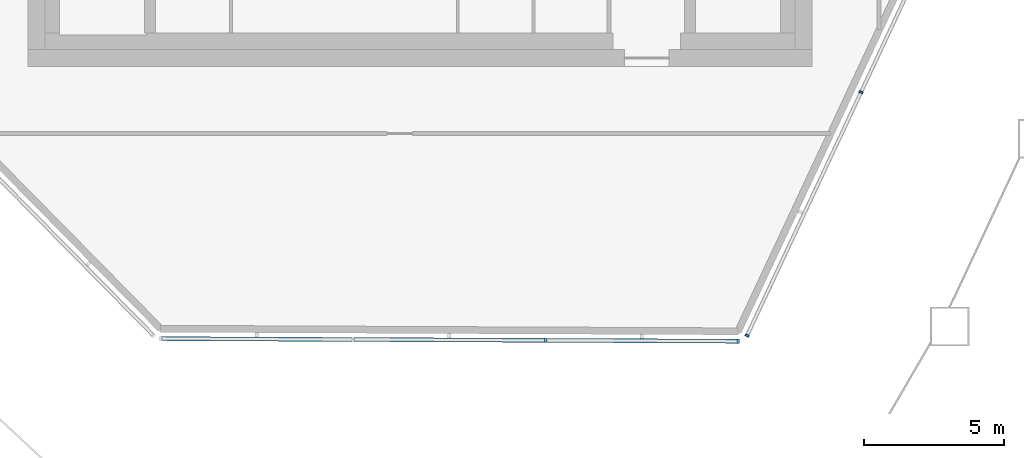
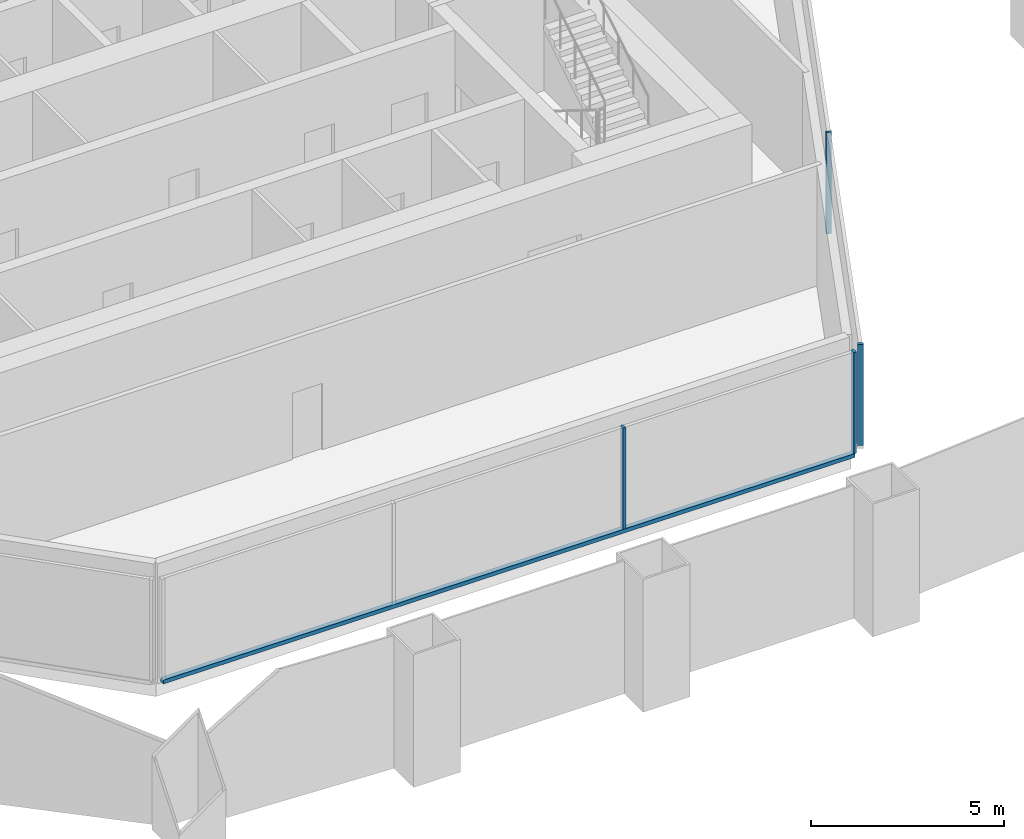
# One storey, part 3 of 18: 5 members, 2 elements without a shape of their own.
"""IFC4 building model written with IfcOpenShell, lengths in metres."""

from ifc_helpers import new_model, si_unit, direction, frame, origin, origin_2d, place, context, subcontext, project, spatial, rectangle, extrude, material, layer, layer_set, material_profile, profile_set, type_object, element, aggregate, save


model = new_model("IFC4")

# Units and contexts
model_context = context("Model", 3, precision=1e-05, world=origin(), true_north=direction((0.0, 1.0)))
body_context = subcontext(model_context, "Body", "Model", "MODEL_VIEW")
ifc_project = project(units=[si_unit("LENGTHUNIT", "METRE"), si_unit("AREAUNIT", "SQUARE_METRE"), si_unit("VOLUMEUNIT", "CUBIC_METRE"), si_unit("PLANEANGLEUNIT", "RADIAN"), si_unit("MASSUNIT", "GRAM", prefix="KILO")], contexts=[model_context])

# Site, building, storey
site_placement = place(None, origin())
site = spatial("IfcSite", under=ifc_project, at=site_placement, CompositionType="ELEMENT")
building_placement = place(site_placement, origin())
building = spatial("IfcBuilding", under=site, at=building_placement, Name="Dongbaek Canopy Tower", CompositionType="ELEMENT")
storey_placement = place(building_placement, frame((0.0, 0.0, 367.39990234375)))
storey = spatial("IfcBuildingStorey", under=building, at=storey_placement, Name="L79", CompositionType="ELEMENT", Elevation=367.39990234375)

# Curtain wall, members
ifc_material_1 = material(Name="Aluminium 6063-T6 pale anodised", Category="aluminium")
ifc_layer = layer(ifc_material_1, 0.14990234375)
ifc_layer_set = layer_set([ifc_layer], Name="CW-7 louvre curtain wall")
curtain_wall_type = type_object("IfcCurtainWallType", Name="CW-7 louvre curtain wall", PredefinedType="NOTDEFINED", material=ifc_layer_set)
curtain_wall_1_placement = place(storey_placement, origin())
curtain_wall_1 = element("IfcCurtainWall", 1, at=curtain_wall_1_placement, inside=storey, type_object=curtain_wall_type, Name="CW-7 louvre wall L79 F0", PredefinedType="NOTDEFINED")
ifc_material_2 = material(Name="Aluminium 6063-T6 pale anodised", Category="aluminium")
ifc_material_profile_1 = material_profile(ifc_material_2, rectangle(XDim=0.14990234375, YDim=0.080078125, at=origin_2d()), Name="CW-7 mullion 80 x 150")
ifc_profile_set_1 = profile_set([ifc_material_profile_1], Name="Aluminium 6063-T6 pale anodised")
member_type_1 = type_object("IfcMemberType", Name="CW-7 mullion 80 x 150", PredefinedType="MULLION", material=ifc_profile_set_1)
member_1_placement = place(storey_placement, frame((4.48828125, -20.7880859375, 0.300048828125), z_axis=(0.0, 0.0, 1.0), x_axis=(-0.004466136555, -0.999990026762, 0.0)))
member_1 = element("IfcMember", 2, at=member_1_placement, type_object=member_type_1, Name="CW-7 mullion L79 F0.1.3", PredefinedType="MULLION", context=body_context, shape_type="SweptSolid", body=[
    extrude(rectangle(XDim=0.14990234375, YDim=0.080078125, at=origin_2d()), origin(), (0.0, 0.0, 1.0), 3.199951171875),
])
member_2_placement = place(storey_placement, frame((11.365966796875, -20.81884765625, 0.300048828125), z_axis=(0.0, 0.0, 1.0), x_axis=(-0.004466136555, -0.999990026762, 0.0)))
member_2 = element("IfcMember", 3, at=member_2_placement, type_object=member_type_1, Name="CW-7 mullion L79 F0.1.4", PredefinedType="MULLION", context=body_context, shape_type="SweptSolid", body=[
    extrude(rectangle(XDim=0.14990234375, YDim=0.080078125, at=origin_2d()), origin(), (0.0, 0.0, 1.0), 3.199951171875),
])

curtain_wall_2_placement = place(storey_placement, origin())
curtain_wall_2 = element("IfcCurtainWall", 4, at=curtain_wall_2_placement, inside=storey, type_object=curtain_wall_type, Name="CW-7 louvre wall L79 F1", PredefinedType="NOTDEFINED")
member_3_placement = place(storey_placement, frame((11.684326171875, -20.6171875, 0.300048828125), z_axis=(0.0, 0.0, 1.0), x_axis=(0.905604659029, -0.42412286138, 0.0)))
member_3 = element("IfcMember", 5, at=member_3_placement, type_object=member_type_1, Name="CW-7 mullion L79 F1.1.1", PredefinedType="MULLION", context=body_context, shape_type="SweptSolid", body=[
    extrude(rectangle(XDim=0.14990234375, YDim=0.080078125, at=origin_2d()), origin(), (0.0, 0.0, 1.0), 3.199951171875),
])
member_4_placement = place(storey_placement, frame((15.756103515625, -11.923095703125, 0.300048828125), z_axis=(0.0, 0.0, 1.0), x_axis=(0.905604659029, -0.42412286138, 0.0)))
member_4 = element("IfcMember", 6, at=member_4_placement, type_object=member_type_1, Name="CW-7 mullion L79 F1.1.2", PredefinedType="MULLION", context=body_context, shape_type="SweptSolid", body=[
    extrude(rectangle(XDim=0.14990234375, YDim=0.080078125, at=origin_2d()), origin(), (0.0, 0.0, 1.0), 3.199951171875),
])
aggregate(curtain_wall_2, [member_3, member_4])

# Member
ifc_material_3 = material(Name="Aluminium 6063-T6 pale anodised", Category="aluminium")
ifc_material_profile_2 = material_profile(ifc_material_3, rectangle(XDim=0.14990234375, YDim=0.1201171875, at=origin_2d()), Name="CW-7 transom 120 x 150")
ifc_profile_set_2 = profile_set([ifc_material_profile_2], Name="Aluminium 6063-T6 pale anodised")
member_type_2 = type_object("IfcMemberType", Name="CW-7 transom 120 x 150", PredefinedType="USERDEFINED", material=ifc_profile_set_2)
member_5_placement = place(storey_placement, frame((-9.267333984375, -20.7265625, 0.239990234375), z_axis=(0.999989997933, -0.004472587018, 0.0), x_axis=(0.004472587018, 0.999989997933, 0.0)))
member_5 = element("IfcMember", 7, at=member_5_placement, type_object=member_type_2, Name="CW-7 transom L79 F0.1", ObjectType="TRANSOM", PredefinedType="USERDEFINED", context=body_context, shape_type="SweptSolid", body=[
    extrude(rectangle(XDim=0.14990234375, YDim=0.1201171875, at=origin_2d()), origin(), (0.0, 0.0, 1.0), 20.633544921875),
])

aggregate(curtain_wall_1, [member_5, member_1, member_2])

save(model, "model.ifc")
